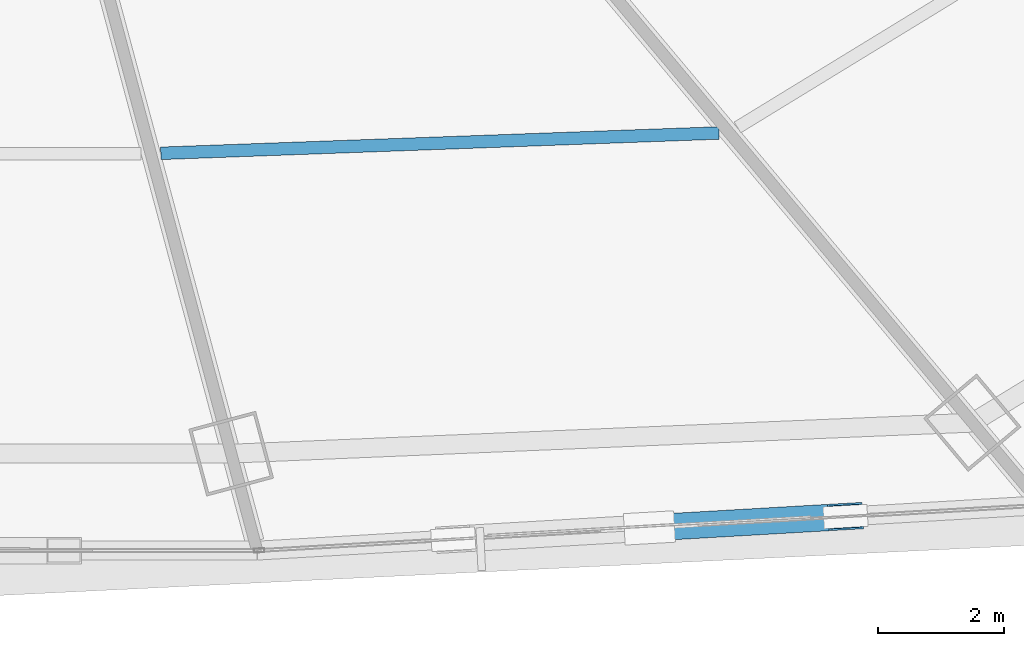
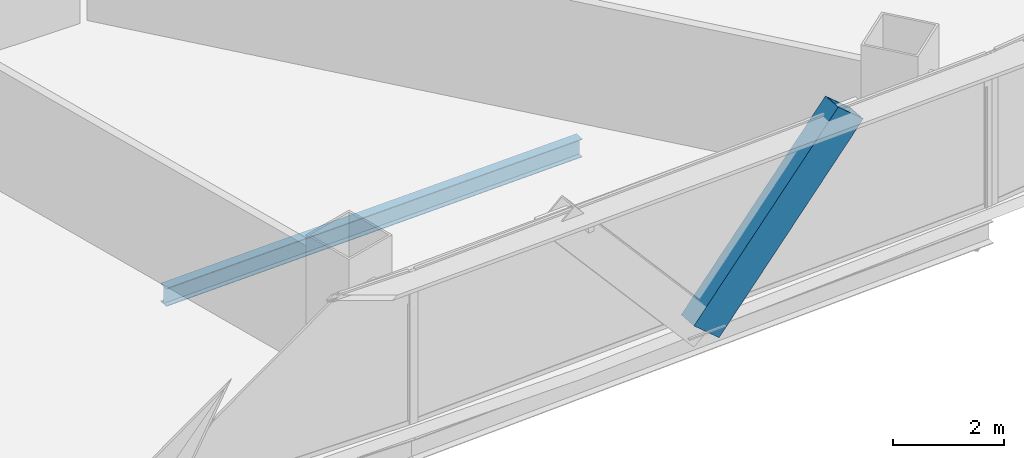
# One storey, part 11 of 42: 1 beam, 1 member.
"""IFC4 building model written with IfcOpenShell, lengths in metres."""

from ifc_helpers import new_model, si_unit, direction, frame, origin, origin_2d, place, context, subcontext, project, spatial, hollow_rectangle, i_section, extrude, source, transform, mapped, material, material_profile, profile_set, type_object, element, save


model = new_model("IFC4")

# Units and contexts
model_context = context("Model", 3, precision=1e-05, world=origin(), true_north=direction((0.0, 1.0)))
body_context = subcontext(model_context, "Body", "Model", "MODEL_VIEW")
ifc_project = project(units=[si_unit("LENGTHUNIT", "METRE"), si_unit("AREAUNIT", "SQUARE_METRE"), si_unit("VOLUMEUNIT", "CUBIC_METRE"), si_unit("PLANEANGLEUNIT", "RADIAN"), si_unit("MASSUNIT", "GRAM", prefix="KILO"), si_unit("THERMODYNAMICTEMPERATUREUNIT", "KELVIN"), si_unit("POWERUNIT", "WATT")], contexts=[model_context])

# Site, building, storey
site_placement = place(None, origin())
site = spatial("IfcSite", under=ifc_project, at=site_placement, CompositionType="ELEMENT")
building_placement = place(site_placement, origin())
building = spatial("IfcBuilding", under=site, at=building_placement, Name="Yunzhuo Pagoda Commons", CompositionType="ELEMENT")
storey_placement = place(building_placement, frame((0.0, 0.0, 41.2900390625)))
storey = spatial("IfcBuildingStorey", under=building, at=storey_placement, Name="L10", CompositionType="ELEMENT", Elevation=41.2900390625)

# Beam
ifc_material_1 = material(Name="Structural steel Q355B", Category="steel")
ifc_material_profile_1 = material_profile(ifc_material_1, i_section(OverallWidth=0.199951171875, OverallDepth=0.39990234375, WebThickness=0.008056640625, FlangeThickness=0.012939453125, at=origin_2d()), Name="Structural steel Q355B")
ifc_profile_set_1 = profile_set([ifc_material_profile_1], Name="Structural steel Q355B")
beam_type = type_object("IfcBeamType", Name="B-JS1 Joist HN 400x200x8x13", PredefinedType="JOIST", material=ifc_profile_set_1)
shared_shape_1 = source(origin(), body_context, "Body", "SweptSolid", [
    extrude(i_section(OverallWidth=0.199951171875, OverallDepth=0.39990234375, WebThickness=0.008056640625, FlangeThickness=0.012939453125, at=origin_2d()), origin(), (0.0, 0.0, 1.0), 8.876953125),
])
beam_placement = place(storey_placement, frame((52.601806640625, 17.125, -0.4599609375), z_axis=(0.999335806416, 0.036440993601, 0.0), x_axis=(-0.036440993601, 0.999335806416, 0.0)))
element("IfcBeam", 1, at=beam_placement, inside=storey, type_object=beam_type, Name="L10 composite ring joist 2.3", PredefinedType="JOIST", context=body_context, shape_type="MappedRepresentation", body=[
    mapped(shared_shape_1, transform((0.0, 0.0, 0.0), scale=1.0)),
])

# Member
ifc_material_2 = material(Name="Structural steel Q420B", Category="steel")
ifc_material_profile_2 = material_profile(ifc_material_2, hollow_rectangle(XDim=0.419921875, YDim=0.719970703125, WallThickness=0.028076171875, at=origin_2d()), Name="Structural steel Q420B")
ifc_profile_set_2 = profile_set([ifc_material_profile_2], Name="Structural steel Q420B")
member_type = type_object("IfcMemberType", Name="M-DL1 Brace BOX 720x420x28", PredefinedType="BRACE", material=ifc_profile_set_2)
shared_shape_2 = source(origin(), body_context, "Body", "SweptSolid", [
    extrude(hollow_rectangle(XDim=0.419921875, YDim=0.719970703125, WallThickness=0.028076171875, at=origin_2d()), origin(), (0.0, 0.0, 1.0), 4.787841796875),
])
member_placement = place(storey_placement, frame((60.36669921875, 11.172119140625, -0.260009765625), z_axis=(0.650975599794, 0.0376837669, 0.758162714847), x_axis=(-0.057791390819, 0.99832868092, 0.0)))
element("IfcMember", 2, at=member_placement, inside=storey, type_object=member_type, Name="L10 facade diamond brace F1.3R", PredefinedType="BRACE", context=body_context, shape_type="MappedRepresentation", body=[
    mapped(shared_shape_2, transform((0.0, 0.0, 0.0), scale=1.0)),
])

save(model, "model.ifc")
